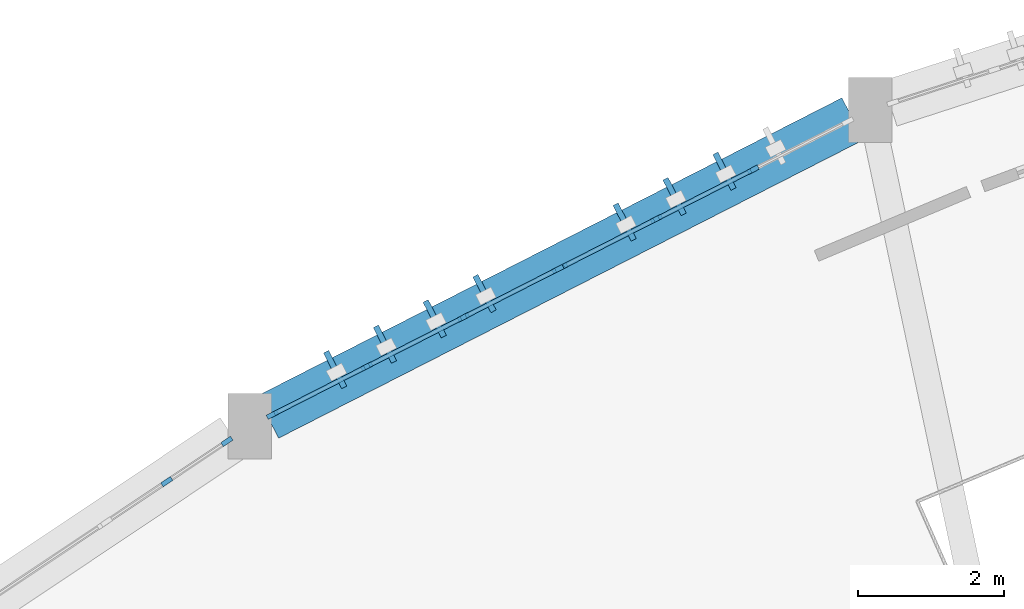
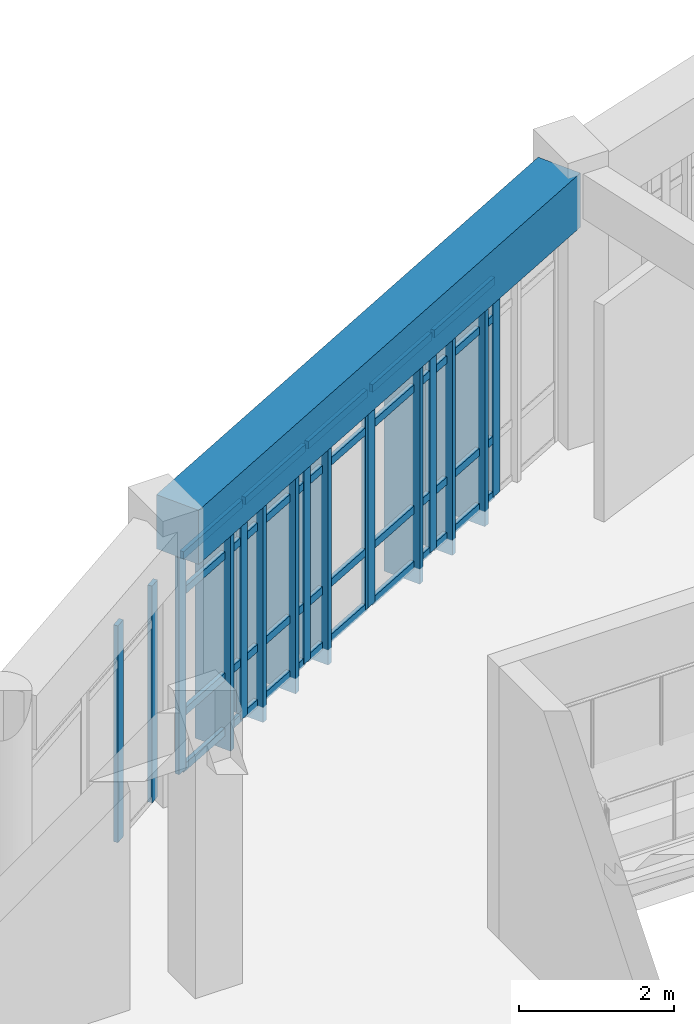
# One storey, part 10 of 57: 36 members, 1 beam, 3 elements without a shape of their own.
"""IFC4 building model written with IfcOpenShell, lengths in metres."""

from ifc_helpers import new_model, si_unit, direction, frame, origin, origin_2d, place, context, subcontext, project, spatial, rectangle, extrude, material, layer, layer_set, material_profile, profile_set, type_object, element, aggregate, save


model = new_model("IFC4")

# Units and contexts
model_context = context("Model", 3, precision=1e-05, world=origin(), true_north=direction((0.0, 1.0)))
body_context = subcontext(model_context, "Body", "Model", "MODEL_VIEW")
ifc_project = project(units=[si_unit("LENGTHUNIT", "METRE"), si_unit("AREAUNIT", "SQUARE_METRE"), si_unit("VOLUMEUNIT", "CUBIC_METRE"), si_unit("PLANEANGLEUNIT", "RADIAN"), si_unit("MASSUNIT", "GRAM", prefix="KILO")], contexts=[model_context])

# Site, building, storey
site_placement = place(None, origin())
site = spatial("IfcSite", under=ifc_project, at=site_placement, CompositionType="ELEMENT")
building_placement = place(site_placement, origin())
building = spatial("IfcBuilding", under=site, at=building_placement, Name="Miralva Faculty of Natural Sciences", CompositionType="ELEMENT")
storey_placement = place(building_placement, frame((0.0, 0.0, 15.0)))
storey = spatial("IfcBuildingStorey", under=building, at=storey_placement, Name="L03", CompositionType="ELEMENT", Elevation=15.0)

# Beam
ifc_material_1 = material(Name="Concrete C40/50", Category="concrete")
ifc_material_profile_1 = material_profile(ifc_material_1, rectangle(XDim=0.64990234375, YDim=0.85009765625, at=origin_2d()), Name="RC 650x850")
ifc_profile_set_1 = profile_set([ifc_material_profile_1], Name="Concrete C40/50")
beam_type = type_object("IfcBeamType", Name="BM-SP03", PredefinedType="SPANDREL", material=ifc_profile_set_1)
beam_placement = place(storey_placement, frame((66.4140625, 35.234619140625, 3.8349609375), z_axis=(-0.890849035396, -0.454299456454, 0.0), x_axis=(0.454299456454, -0.890849035396, 0.0)))
element("IfcBeam", 1, at=beam_placement, inside=storey, type_object=beam_type, Name="Curved chord girder SHOUT L03-8", PredefinedType="SPANDREL", context=body_context, shape_type="SweptSolid", body=[
    extrude(rectangle(XDim=0.64990234375, YDim=0.85009765625, at=origin_2d()), origin(), (0.0, 0.0, 1.0), 9.02294921875),
])

# Curtain wall, members
ifc_material_2 = material(Name="Laminated solar-control glass", Category="glass")
ifc_layer = layer(ifc_material_2, 0.179931640625, Name="CW-ARC-L03")
ifc_layer_set = layer_set([ifc_layer], Name="Laminated solar-control glass")
curtain_wall_type = type_object("IfcCurtainWallType", Name="CW-ARC-L03", PredefinedType="USERDEFINED", material=ifc_layer_set)
curtain_wall_1_placement = place(storey_placement, origin())
curtain_wall_1 = element("IfcCurtainWall", 2, at=curtain_wall_1_placement, inside=storey, type_object=curtain_wall_type, Name="Curtain wall CW-03 L03-126", ObjectType="UNITISED CURTAIN WALL", PredefinedType="USERDEFINED")
ifc_material_3 = material(Name="Anodised aluminium", Category="aluminium")
ifc_material_profile_2 = material_profile(ifc_material_3, rectangle(XDim=0.06494140625, YDim=0.159912109375, at=origin_2d()), Name="MULLION 65x160")
ifc_profile_set_2 = profile_set([ifc_material_profile_2], Name="Anodised aluminium")
member_type_1 = type_object("IfcMemberType", Name="CW-M02", PredefinedType="MULLION", material=ifc_profile_set_2)
member_1_placement = place(storey_placement, frame((56.986328125, 30.24853515625, 0.0), z_axis=(0.0, 0.0, 1.0), x_axis=(-0.55558704736, 0.831458377074, 0.0)))
member_1 = element("IfcMember", 3, at=member_1_placement, type_object=member_type_1, Name="CW-03 mullion 2", PredefinedType="MULLION", context=body_context, shape_type="SweptSolid", body=[
    extrude(rectangle(XDim=0.06494140625, YDim=0.159912109375, at=origin_2d()), origin(), (0.0, 0.0, 1.0), 3.405029296875),
])
member_2_placement = place(storey_placement, frame((57.813720703125, 30.80126953125, 0.0), z_axis=(0.0, 0.0, 1.0), x_axis=(-0.55558704736, 0.831458377074, 0.0)))
member_2 = element("IfcMember", 4, at=member_2_placement, type_object=member_type_1, Name="CW-03 mullion 3", PredefinedType="MULLION", context=body_context, shape_type="SweptSolid", body=[
    extrude(rectangle(XDim=0.06494140625, YDim=0.159912109375, at=origin_2d()), origin(), (0.0, 0.0, 1.0), 3.405029296875),
])
aggregate(curtain_wall_1, [member_1, member_2])

curtain_wall_2_placement = place(storey_placement, origin())
curtain_wall_2 = element("IfcCurtainWall", 5, at=curtain_wall_2_placement, inside=storey, type_object=curtain_wall_type, Name="Curtain wall CW-03 L03-127", ObjectType="UNITISED CURTAIN WALL", PredefinedType="USERDEFINED")
member_3_placement = place(storey_placement, frame((58.437255859375, 31.1689453125, 0.0), z_axis=(0.0, 0.0, 1.0), x_axis=(-0.454000162854, 0.89100160052, 0.0)))
member_3 = element("IfcMember", 6, at=member_3_placement, type_object=member_type_1, Name="CW-03 mullion 1", PredefinedType="MULLION", context=body_context, shape_type="SweptSolid", body=[
    extrude(rectangle(XDim=0.06494140625, YDim=0.159912109375, at=origin_2d()), origin(), (0.0, 0.0, 1.0), 3.405029296875),
])
member_4_placement = place(storey_placement, frame((59.736083984375, 31.830810546875, 0.0), z_axis=(0.0, 0.0, 1.0), x_axis=(-0.454000162854, 0.89100160052, 0.0)))
member_4 = element("IfcMember", 7, at=member_4_placement, type_object=member_type_1, Name="CW-03 mullion 2", PredefinedType="MULLION", context=body_context, shape_type="SweptSolid", body=[
    extrude(rectangle(XDim=0.06494140625, YDim=0.159912109375, at=origin_2d()), origin(), (0.0, 0.0, 1.0), 3.405029296875),
])
member_5_placement = place(storey_placement, frame((61.06396484375, 32.50732421875, 0.0), z_axis=(0.0, 0.0, 1.0), x_axis=(-0.454000162854, 0.89100160052, 0.0)))
member_5 = element("IfcMember", 8, at=member_5_placement, type_object=member_type_1, Name="CW-03 mullion 3", PredefinedType="MULLION", context=body_context, shape_type="SweptSolid", body=[
    extrude(rectangle(XDim=0.06494140625, YDim=0.159912109375, at=origin_2d()), origin(), (0.0, 0.0, 1.0), 3.405029296875),
])
member_6_placement = place(storey_placement, frame((62.363037109375, 33.169189453125, 0.0), z_axis=(0.0, 0.0, 1.0), x_axis=(-0.454000162854, 0.89100160052, 0.0)))
member_6 = element("IfcMember", 9, at=member_6_placement, type_object=member_type_1, Name="CW-03 mullion 4", PredefinedType="MULLION", context=body_context, shape_type="SweptSolid", body=[
    extrude(rectangle(XDim=0.06494140625, YDim=0.159912109375, at=origin_2d()), origin(), (0.0, 0.0, 1.0), 3.405029296875),
])

curtain_wall_3_placement = place(storey_placement, origin())
curtain_wall_3 = element("IfcCurtainWall", 10, at=curtain_wall_3_placement, inside=storey, type_object=curtain_wall_type, Name="Curtain wall CW-03 L03-128", ObjectType="UNITISED CURTAIN WALL", PredefinedType="USERDEFINED")
member_7_placement = place(storey_placement, frame((62.416259765625, 33.1962890625, 0.0), z_axis=(0.0, 0.0, 1.0), x_axis=(-0.453974643591, 0.891014603122, 0.0)))
member_7 = element("IfcMember", 11, at=member_7_placement, type_object=member_type_1, Name="CW-03 mullion 1", PredefinedType="MULLION", context=body_context, shape_type="SweptSolid", body=[
    extrude(rectangle(XDim=0.06494140625, YDim=0.159912109375, at=origin_2d()), origin(), (0.0, 0.0, 1.0), 3.405029296875),
])
member_8_placement = place(storey_placement, frame((63.716796875, 33.85888671875, 0.0), z_axis=(0.0, 0.0, 1.0), x_axis=(-0.453974643591, 0.891014603122, 0.0)))
member_8 = element("IfcMember", 12, at=member_8_placement, type_object=member_type_1, Name="CW-03 mullion 2", PredefinedType="MULLION", context=body_context, shape_type="SweptSolid", body=[
    extrude(rectangle(XDim=0.06494140625, YDim=0.159912109375, at=origin_2d()), origin(), (0.0, 0.0, 1.0), 3.405029296875),
])
member_9_placement = place(storey_placement, frame((65.046142578125, 34.536376953125, 0.0), z_axis=(0.0, 0.0, 1.0), x_axis=(-0.453974643591, 0.891014603122, 0.0)))
member_9 = element("IfcMember", 13, at=member_9_placement, type_object=member_type_1, Name="CW-03 mullion 3", PredefinedType="MULLION", context=body_context, shape_type="SweptSolid", body=[
    extrude(rectangle(XDim=0.06494140625, YDim=0.159912109375, at=origin_2d()), origin(), (0.0, 0.0, 1.0), 3.405029296875),
])

# Member
ifc_material_profile_3 = material_profile(ifc_material_3, rectangle(XDim=0.06005859375, YDim=0.1201171875, at=origin_2d()), Name="TRANSOM 60x120")
ifc_profile_set_3 = profile_set([ifc_material_profile_3], Name="Anodised aluminium")
member_type_2 = type_object("IfcMemberType", Name="CW-T02", PredefinedType="USERDEFINED", material=ifc_profile_set_3)
member_10_placement = place(storey_placement, frame((58.46630859375, 31.18359375, 0.030029296875), z_axis=(0.891000699846, 0.454001930474, 0.0), x_axis=(-0.454001930474, 0.891000699846, 0.0)))
member_10 = element("IfcMember", 14, at=member_10_placement, type_object=member_type_2, Name="CW-03 transom 1.1", ObjectType="TRANSOM", PredefinedType="USERDEFINED", context=body_context, shape_type="SweptSolid", body=[
    extrude(rectangle(XDim=0.06005859375, YDim=0.1201171875, at=origin_2d()), origin(), (0.0, 0.0, 1.0), 1.392822265625),
])

member_11_placement = place(storey_placement, frame((58.46630859375, 31.18359375, 0.89990234375), z_axis=(0.891000699846, 0.454001930474, 0.0), x_axis=(-0.454001930474, 0.891000699846, 0.0)))
member_11 = element("IfcMember", 15, at=member_11_placement, type_object=member_type_2, Name="CW-03 transom 1.2", ObjectType="TRANSOM", PredefinedType="USERDEFINED", context=body_context, shape_type="SweptSolid", body=[
    extrude(rectangle(XDim=0.06005859375, YDim=0.1201171875, at=origin_2d()), origin(), (0.0, 0.0, 1.0), 1.392822265625),
])

member_12_placement = place(storey_placement, frame((58.46630859375, 31.18359375, 2.804931640625), z_axis=(0.891000699846, 0.454001930474, 0.0), x_axis=(-0.454001930474, 0.891000699846, 0.0)))
member_12 = element("IfcMember", 16, at=member_12_placement, type_object=member_type_2, Name="CW-03 transom 1.3", ObjectType="TRANSOM", PredefinedType="USERDEFINED", context=body_context, shape_type="SweptSolid", body=[
    extrude(rectangle(XDim=0.06005859375, YDim=0.1201171875, at=origin_2d()), origin(), (0.0, 0.0, 1.0), 1.392822265625),
])

member_13_placement = place(storey_placement, frame((58.46630859375, 31.18359375, 3.375), z_axis=(0.891000699846, 0.454001930474, 0.0), x_axis=(-0.454001930474, 0.891000699846, 0.0)))
member_13 = element("IfcMember", 17, at=member_13_placement, type_object=member_type_2, Name="CW-03 transom 1.4", ObjectType="TRANSOM", PredefinedType="USERDEFINED", context=body_context, shape_type="SweptSolid", body=[
    extrude(rectangle(XDim=0.06005859375, YDim=0.1201171875, at=origin_2d()), origin(), (0.0, 0.0, 1.0), 1.392822265625),
])

member_14_placement = place(storey_placement, frame((59.76513671875, 31.845458984375, 0.030029296875), z_axis=(0.891044725517, 0.453915517612, 0.0), x_axis=(-0.453915517612, 0.891044725517, 0.0)))
member_14 = element("IfcMember", 18, at=member_14_placement, type_object=member_type_2, Name="CW-03 transom 2.1", ObjectType="TRANSOM", PredefinedType="USERDEFINED", context=body_context, shape_type="SweptSolid", body=[
    extrude(rectangle(XDim=0.06005859375, YDim=0.1201171875, at=origin_2d()), origin(), (0.0, 0.0, 1.0), 1.42529296875),
])

member_15_placement = place(storey_placement, frame((59.76513671875, 31.845458984375, 0.89990234375), z_axis=(0.891044725517, 0.453915517612, 0.0), x_axis=(-0.453915517612, 0.891044725517, 0.0)))
member_15 = element("IfcMember", 19, at=member_15_placement, type_object=member_type_2, Name="CW-03 transom 2.2", ObjectType="TRANSOM", PredefinedType="USERDEFINED", context=body_context, shape_type="SweptSolid", body=[
    extrude(rectangle(XDim=0.06005859375, YDim=0.1201171875, at=origin_2d()), origin(), (0.0, 0.0, 1.0), 1.42529296875),
])

member_16_placement = place(storey_placement, frame((59.76513671875, 31.845458984375, 2.804931640625), z_axis=(0.891044725517, 0.453915517612, 0.0), x_axis=(-0.453915517612, 0.891044725517, 0.0)))
member_16 = element("IfcMember", 20, at=member_16_placement, type_object=member_type_2, Name="CW-03 transom 2.3", ObjectType="TRANSOM", PredefinedType="USERDEFINED", context=body_context, shape_type="SweptSolid", body=[
    extrude(rectangle(XDim=0.06005859375, YDim=0.1201171875, at=origin_2d()), origin(), (0.0, 0.0, 1.0), 1.42529296875),
])

member_17_placement = place(storey_placement, frame((59.76513671875, 31.845458984375, 3.375), z_axis=(0.891044725517, 0.453915517612, 0.0), x_axis=(-0.453915517612, 0.891044725517, 0.0)))
member_17 = element("IfcMember", 21, at=member_17_placement, type_object=member_type_2, Name="CW-03 transom 2.4", ObjectType="TRANSOM", PredefinedType="USERDEFINED", context=body_context, shape_type="SweptSolid", body=[
    extrude(rectangle(XDim=0.06005859375, YDim=0.1201171875, at=origin_2d()), origin(), (0.0, 0.0, 1.0), 1.42529296875),
])

member_18_placement = place(storey_placement, frame((61.093017578125, 32.52197265625, 0.030029296875), z_axis=(0.891000699846, 0.454001930474, 0.0), x_axis=(-0.454001930474, 0.891000699846, 0.0)))
member_18 = element("IfcMember", 22, at=member_18_placement, type_object=member_type_2, Name="CW-03 transom 3.1", ObjectType="TRANSOM", PredefinedType="USERDEFINED", context=body_context, shape_type="SweptSolid", body=[
    extrude(rectangle(XDim=0.06005859375, YDim=0.1201171875, at=origin_2d()), origin(), (0.0, 0.0, 1.0), 1.392822265625),
])

member_19_placement = place(storey_placement, frame((61.093017578125, 32.52197265625, 0.89990234375), z_axis=(0.891000699846, 0.454001930474, 0.0), x_axis=(-0.454001930474, 0.891000699846, 0.0)))
member_19 = element("IfcMember", 23, at=member_19_placement, type_object=member_type_2, Name="CW-03 transom 3.2", ObjectType="TRANSOM", PredefinedType="USERDEFINED", context=body_context, shape_type="SweptSolid", body=[
    extrude(rectangle(XDim=0.06005859375, YDim=0.1201171875, at=origin_2d()), origin(), (0.0, 0.0, 1.0), 1.392822265625),
])

member_20_placement = place(storey_placement, frame((61.093017578125, 32.52197265625, 2.804931640625), z_axis=(0.891000699846, 0.454001930474, 0.0), x_axis=(-0.454001930474, 0.891000699846, 0.0)))
member_20 = element("IfcMember", 24, at=member_20_placement, type_object=member_type_2, Name="CW-03 transom 3.3", ObjectType="TRANSOM", PredefinedType="USERDEFINED", context=body_context, shape_type="SweptSolid", body=[
    extrude(rectangle(XDim=0.06005859375, YDim=0.1201171875, at=origin_2d()), origin(), (0.0, 0.0, 1.0), 1.392822265625),
])

member_21_placement = place(storey_placement, frame((61.093017578125, 32.52197265625, 3.375), z_axis=(0.891000699846, 0.454001930474, 0.0), x_axis=(-0.454001930474, 0.891000699846, 0.0)))
member_21 = element("IfcMember", 25, at=member_21_placement, type_object=member_type_2, Name="CW-03 transom 3.4", ObjectType="TRANSOM", PredefinedType="USERDEFINED", context=body_context, shape_type="SweptSolid", body=[
    extrude(rectangle(XDim=0.06005859375, YDim=0.1201171875, at=origin_2d()), origin(), (0.0, 0.0, 1.0), 1.392822265625),
])

aggregate(curtain_wall_2, [member_3, member_4, member_5, member_6, member_10, member_11, member_12, member_13, member_14, member_15, member_16, member_17, member_18, member_19, member_20, member_21])

member_22_placement = place(storey_placement, frame((62.4453125, 33.211181640625, 0.030029296875), z_axis=(0.891004754487, 0.453993972958, 0.0), x_axis=(-0.453993972958, 0.891004754487, 0.0)))
member_22 = element("IfcMember", 26, at=member_22_placement, type_object=member_type_2, Name="CW-03 transom 1.1", ObjectType="TRANSOM", PredefinedType="USERDEFINED", context=body_context, shape_type="SweptSolid", body=[
    extrude(rectangle(XDim=0.06005859375, YDim=0.1201171875, at=origin_2d()), origin(), (0.0, 0.0, 1.0), 1.39453125),
])

member_23_placement = place(storey_placement, frame((62.4453125, 33.211181640625, 0.89990234375), z_axis=(0.891004754487, 0.453993972958, 0.0), x_axis=(-0.453993972958, 0.891004754487, 0.0)))
member_23 = element("IfcMember", 27, at=member_23_placement, type_object=member_type_2, Name="CW-03 transom 1.2", ObjectType="TRANSOM", PredefinedType="USERDEFINED", context=body_context, shape_type="SweptSolid", body=[
    extrude(rectangle(XDim=0.06005859375, YDim=0.1201171875, at=origin_2d()), origin(), (0.0, 0.0, 1.0), 1.39453125),
])

member_24_placement = place(storey_placement, frame((62.4453125, 33.211181640625, 2.804931640625), z_axis=(0.891004754487, 0.453993972958, 0.0), x_axis=(-0.453993972958, 0.891004754487, 0.0)))
member_24 = element("IfcMember", 28, at=member_24_placement, type_object=member_type_2, Name="CW-03 transom 1.3", ObjectType="TRANSOM", PredefinedType="USERDEFINED", context=body_context, shape_type="SweptSolid", body=[
    extrude(rectangle(XDim=0.06005859375, YDim=0.1201171875, at=origin_2d()), origin(), (0.0, 0.0, 1.0), 1.39453125),
])

member_25_placement = place(storey_placement, frame((62.4453125, 33.211181640625, 3.375), z_axis=(0.891004754487, 0.453993972958, 0.0), x_axis=(-0.453993972958, 0.891004754487, 0.0)))
member_25 = element("IfcMember", 29, at=member_25_placement, type_object=member_type_2, Name="CW-03 transom 1.4", ObjectType="TRANSOM", PredefinedType="USERDEFINED", context=body_context, shape_type="SweptSolid", body=[
    extrude(rectangle(XDim=0.06005859375, YDim=0.1201171875, at=origin_2d()), origin(), (0.0, 0.0, 1.0), 1.39453125),
])

member_26_placement = place(storey_placement, frame((63.745849609375, 33.873779296875, 0.030029296875), z_axis=(0.891048636431, 0.453907840332, 0.0), x_axis=(-0.453907840332, 0.891048636431, 0.0)))
member_26 = element("IfcMember", 30, at=member_26_placement, type_object=member_type_2, Name="CW-03 transom 2.1", ObjectType="TRANSOM", PredefinedType="USERDEFINED", context=body_context, shape_type="SweptSolid", body=[
    extrude(rectangle(XDim=0.06005859375, YDim=0.1201171875, at=origin_2d()), origin(), (0.0, 0.0, 1.0), 1.427001953125),
])

member_27_placement = place(storey_placement, frame((63.745849609375, 33.873779296875, 0.89990234375), z_axis=(0.891048636431, 0.453907840332, 0.0), x_axis=(-0.453907840332, 0.891048636431, 0.0)))
member_27 = element("IfcMember", 31, at=member_27_placement, type_object=member_type_2, Name="CW-03 transom 2.2", ObjectType="TRANSOM", PredefinedType="USERDEFINED", context=body_context, shape_type="SweptSolid", body=[
    extrude(rectangle(XDim=0.06005859375, YDim=0.1201171875, at=origin_2d()), origin(), (0.0, 0.0, 1.0), 1.427001953125),
])

member_28_placement = place(storey_placement, frame((63.745849609375, 33.873779296875, 2.804931640625), z_axis=(0.891048636431, 0.453907840332, 0.0), x_axis=(-0.453907840332, 0.891048636431, 0.0)))
member_28 = element("IfcMember", 32, at=member_28_placement, type_object=member_type_2, Name="CW-03 transom 2.3", ObjectType="TRANSOM", PredefinedType="USERDEFINED", context=body_context, shape_type="SweptSolid", body=[
    extrude(rectangle(XDim=0.06005859375, YDim=0.1201171875, at=origin_2d()), origin(), (0.0, 0.0, 1.0), 1.427001953125),
])

member_29_placement = place(storey_placement, frame((63.745849609375, 33.873779296875, 3.375), z_axis=(0.891048636431, 0.453907840332, 0.0), x_axis=(-0.453907840332, 0.891048636431, 0.0)))
member_29 = element("IfcMember", 33, at=member_29_placement, type_object=member_type_2, Name="CW-03 transom 2.4", ObjectType="TRANSOM", PredefinedType="USERDEFINED", context=body_context, shape_type="SweptSolid", body=[
    extrude(rectangle(XDim=0.06005859375, YDim=0.1201171875, at=origin_2d()), origin(), (0.0, 0.0, 1.0), 1.427001953125),
])

aggregate(curtain_wall_3, [member_7, member_8, member_9, member_22, member_23, member_24, member_25, member_26, member_27, member_28, member_29])

# Members
ifc_material_profile_4 = material_profile(ifc_material_3, rectangle(XDim=0.080078125, YDim=0.550048828125, at=origin_2d()), Name="FIN 550x80")
ifc_profile_set_4 = profile_set([ifc_material_profile_4], Name="Anodised aluminium")
member_type_3 = type_object("IfcMemberType", Name="MEM-SF01", PredefinedType="USERDEFINED", material=ifc_profile_set_4)
for number, where, z_axis, x_axis, name in (
    (34, (59.301513671875, 31.788818359375, -0.239990234375), (0.0, 0.0, 1.0), (-0.891006524188, -0.45399049974, 0.0), "Solar shading fin SF-01 L03-85"),
    (35, (59.9853515625, 32.13720703125, -0.239990234375), (0.0, 0.0, 1.0), (-0.891006524188, -0.45399049974, 0.0), "Solar shading fin SF-01 L03-86"),
    (36, (60.66943359375, 32.48583984375, -0.239990234375), (0.0, 0.0, 1.0), (-0.891006524188, -0.45399049974, 0.0), "Solar shading fin SF-01 L03-87"),
    (37, (61.353515625, 32.83447265625, -0.239990234375), (0.0, 0.0, 1.0), (-0.891006524188, -0.45399049974, 0.0), "Solar shading fin SF-01 L03-88"),
    (38, (63.281005859375, 33.81640625, -0.239990234375), (0.0, 0.0, 1.0), (-0.891006524188, -0.45399049974, 0.0), "Solar shading fin SF-01 L03-89"),
    (39, (63.96630859375, 34.16552734375, -0.239990234375), (0.0, 0.0, 1.0), (-0.891006524188, -0.45399049974, 0.0), "Solar shading fin SF-01 L03-90"),
    (40, (64.651611328125, 34.5146484375, -0.239990234375), (0.0, 0.0, 1.0), (-0.891006524188, -0.45399049974, 0.0), "Solar shading fin SF-01 L03-91"),
):
    element("IfcMember", number, at=place(storey_placement, frame(where, z_axis=z_axis, x_axis=x_axis)), inside=storey, type_object=member_type_3, Name=name, ObjectType="SUNSHADE", PredefinedType="USERDEFINED", context=body_context, shape_type="SweptSolid", body=[
        extrude(rectangle(XDim=0.080078125, YDim=0.550048828125, at=origin_2d()), origin(), (0.0, 0.0, 1.0), 3.64501953125),
    ])

save(model, "model.ifc")
